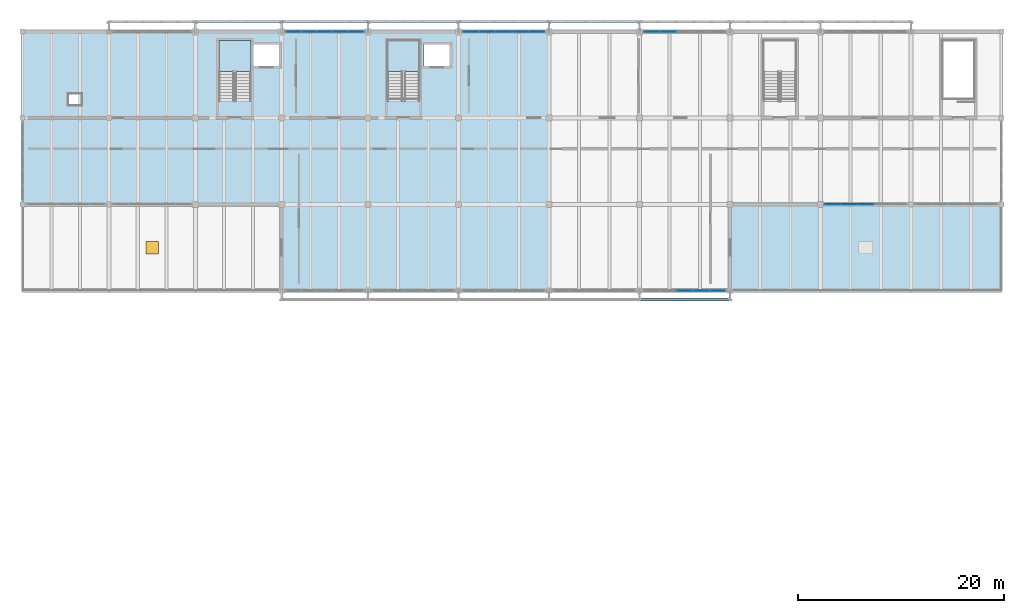
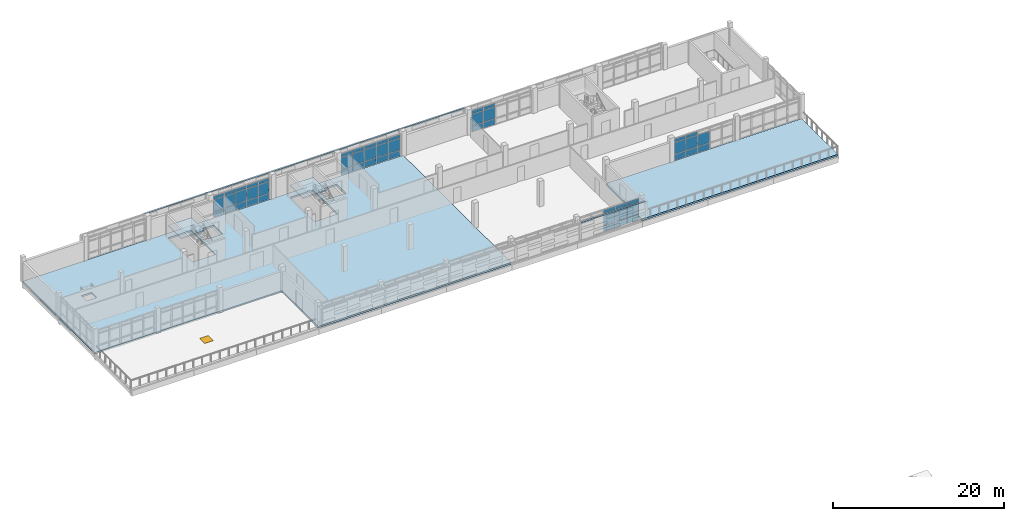
# One storey, part 39 of 50: 59 plates, 4 slabs, 1 window, 1 opening, 7 elements without a shape of their own.
"""IFC4 building model written with IfcOpenShell, lengths in metres."""

import ifcopenshell
import ifcopenshell.guid

model = None  # the IFC model being written
_history = None  # IfcOwnerHistory: only IFC2X3 demands one
_inside = {}  # id of a spatial element -> (the spatial element, [elements in it])
_under = {}  # id of a project, library or spatial element -> (it, [spatial elements below it])
_declared = {}  # id of a project -> (the project, [libraries it declares])
_typed = {}  # id of a type object -> (the type object, [elements of that type])
_made_of = {}  # id of a material, layer set ... -> (it, [elements and type objects made of it])


def new_model(schema):
    """Start an empty IFC model of exactly this schema.

    Asked for "IFC4X3", IfcOpenShell would pick the latest addendum, in which some entities
    have other attributes; the version numbers below select the first issue.
    IFC2X3 requires an IfcOwnerHistory on every rooted entity: one is made here for all.
    """
    global model, _history
    if schema == "IFC4X3":
        model = ifcopenshell.file(schema_version=(4, 3, 0, 0))
    else:
        model = ifcopenshell.file(schema=schema)
    _inside.clear()
    _under.clear()
    _declared.clear()
    _typed.clear()
    _made_of.clear()
    _history = None
    if model.schema == "IFC2X3":
        org = make("IfcOrganization", Name="unknown")
        user = make(
            "IfcPersonAndOrganization",
            ThePerson=make("IfcPerson", FamilyName="unknown"),
            TheOrganization=org,
        )
        app = make(
            "IfcApplication",
            ApplicationDeveloper=org,
            Version="unknown",
            ApplicationFullName="unknown",
            ApplicationIdentifier="unknown",
        )
        _history = make(
            "IfcOwnerHistory",
            OwningUser=user,
            OwningApplication=app,
            ChangeAction="ADDED",
            CreationDate=0,
        )
    return model


def make(cls, **values):
    """One entity of the class cls with the attributes given. An attribute that is None is left unset."""
    return model.create_entity(
        cls, **{name: value for name, value in values.items() if value is not None}
    )


def rooted(cls, **values):
    """An entity with a GlobalId (a new one), such as an element, a storey or a relation."""
    return make(cls, GlobalId=ifcopenshell.guid.new(), OwnerHistory=_history, **values)


def si_unit(unit_type, name, prefix=None):
    """IfcSIUnit, for example si_unit("LENGTHUNIT", "METRE", prefix="MILLI")."""
    return make("IfcSIUnit", UnitType=unit_type, Prefix=prefix, Name=name)


def assignment(units):
    """IfcUnitAssignment: the units of a project."""
    return None if units is None else make("IfcUnitAssignment", Units=units)


def point(xyz):
    """IfcCartesianPoint."""
    return None if xyz is None else make("IfcCartesianPoint", Coordinates=xyz)


def direction(xyz):
    """IfcDirection."""
    return None if xyz is None else make("IfcDirection", DirectionRatios=xyz)


def frame(location, z_axis=None, x_axis=None):
    """IfcAxis2Placement3D, a coordinate frame: its origin and axes. An axis left out is left unset."""
    return make(
        "IfcAxis2Placement3D",
        Location=point(location),
        Axis=direction(z_axis),
        RefDirection=direction(x_axis),
    )


def frame_2d(location, x_axis=None):
    """IfcAxis2Placement2D, a coordinate frame in the plane: its origin and x axis."""
    return make(
        "IfcAxis2Placement2D", Location=point(location), RefDirection=direction(x_axis)
    )


def origin():
    """The frame at (0, 0, 0) with its axes left unset."""
    return frame((0.0, 0.0, 0.0))


def origin_2d():
    """The frame at (0, 0) in the plane with its x axis left unset."""
    return frame_2d((0.0, 0.0))


def place(relative_to, where):
    """IfcLocalPlacement: puts the frame where relative to a parent placement (None: the world)."""
    return make(
        "IfcLocalPlacement", PlacementRelTo=relative_to, RelativePlacement=where
    )


def context(
    kind, dimensions, precision=None, world=None, true_north=None, identifier=None
):
    """IfcGeometricRepresentationContext, for example the 3D "Model" context."""
    return make(
        "IfcGeometricRepresentationContext",
        ContextIdentifier=identifier,
        ContextType=kind,
        CoordinateSpaceDimension=dimensions,
        Precision=precision,
        WorldCoordinateSystem=world,
        TrueNorth=true_north,
    )


def subcontext(parent, identifier, kind, view, scale=None):
    """IfcGeometricRepresentationSubContext, for example "Body" below "Model"."""
    return make(
        "IfcGeometricRepresentationSubContext",
        ContextIdentifier=identifier,
        ContextType=kind,
        ParentContext=parent,
        TargetScale=scale,
        TargetView=view,
    )


def project(units=None, contexts=None):
    """IfcProject with its units and contexts."""
    return rooted(
        "IfcProject",
        Name="project",
        RepresentationContexts=contexts,
        UnitsInContext=assignment(units),
    )


def spatial(cls, under=None, at=None, **own):
    """A site, building, storey or space (cls), placed at a placement, below another one or the project."""
    s = rooted(cls, ObjectPlacement=at, **own)
    if under is not None:
        _under.setdefault(under.id(), (under, []))[1].append(s)
    return s


def polyline(points):
    """IfcPolyline through the points."""
    return make("IfcPolyline", Points=[point(p) for p in points])


def profile(cls, at=None, kind="AREA", **sizes):
    """A parametric profile (cls). Its sizes go by their IFC names, for example OverallWidth=200.0."""
    return make(cls, ProfileType=kind, Position=at, **sizes)


def rectangle(**sizes):
    """IfcRectangleProfileDef."""
    return profile("IfcRectangleProfileDef", **sizes)


def outline(outer, holes=None, kind="AREA"):
    """IfcArbitraryClosedProfileDef: a profile drawn as a closed curve; with holes, ...WithVoids."""
    if holes is None:
        return make("IfcArbitraryClosedProfileDef", ProfileType=kind, OuterCurve=outer)
    return make(
        "IfcArbitraryProfileDefWithVoids",
        ProfileType=kind,
        OuterCurve=outer,
        InnerCurves=holes,
    )


def extrude(swept, where, along, depth):
    """IfcExtrudedAreaSolid: the profile swept, set in the frame where, extruded along a direction by depth."""
    return make(
        "IfcExtrudedAreaSolid",
        SweptArea=swept,
        Position=where,
        ExtrudedDirection=direction(along),
        Depth=depth,
    )


def shape(context_of_items, identifier, shape_type, items):
    """IfcShapeRepresentation: the items that make up one representation, for example the "Body"."""
    return make(
        "IfcShapeRepresentation",
        ContextOfItems=context_of_items,
        RepresentationIdentifier=identifier,
        RepresentationType=shape_type,
        Items=items,
    )


def material(Name=None, Category=None):
    """IfcMaterial."""
    return make("IfcMaterial", Name=Name, Category=Category)


def layer(
    of_material, thickness, ventilated=None, Name=None, Category=None, Priority=None
):
    """IfcMaterialLayer: one layer of a wall or slab, of a material (None: an air gap)."""
    return make(
        "IfcMaterialLayer",
        Material=of_material,
        LayerThickness=thickness,
        IsVentilated=ventilated,
        Name=Name,
        Category=Category,
        Priority=Priority,
    )


def layer_set(layers, Name=None):
    """IfcMaterialLayerSet."""
    return make("IfcMaterialLayerSet", MaterialLayers=layers, LayerSetName=Name)


def made_of(thing, what):
    """Note that an element or type object is made of a material, layer set ...; save() writes the relation."""
    if what is not None:
        _made_of.setdefault(what.id(), (what, []))[1].append(thing)
    return thing


def type_object(cls, material=None, **own):
    """A type object (cls), such as IfcWallType, which elements share."""
    return made_of(rooted(cls, **own), material)


def element(
    cls,
    number,
    at=None,
    inside=None,
    cuts=None,
    type_object=None,
    material=None,
    context=None,
    identifier="Body",
    shape_type=None,
    held_by="IfcProductDefinitionShape",
    body=None,
    shapes=None,
    **own,
):
    """One element of the class cls, such as IfcWall. Its Tag is "e" and its number.

    at: its placement. inside: the storey or other place that contains it. cuts: it is an
    opening in that element (IfcRelVoidsElement). A single representation is given by context,
    identifier, shape_type and body (its items); several are given by shapes. held_by: the class
    of the entity that holds the representations. save() writes the other relations.
    """
    e = rooted(cls, Tag="e%d" % number, ObjectPlacement=at, **own)
    if body is not None:
        shapes = [shape(context, identifier, shape_type, body)]
    if shapes is not None:
        e.Representation = make(held_by, Representations=shapes)
    if inside is not None:
        _inside.setdefault(inside.id(), (inside, []))[1].append(e)
    if cuts is not None:
        rooted(
            "IfcRelVoidsElement", RelatingBuildingElement=cuts, RelatedOpeningElement=e
        )
    if type_object is not None:
        _typed.setdefault(type_object.id(), (type_object, []))[1].append(e)
    return made_of(e, material)


def fill(opening, filler):
    """IfcRelFillsElement: the door or window that sits in an opening."""
    return rooted(
        "IfcRelFillsElement",
        RelatingOpeningElement=opening,
        RelatedBuildingElement=filler,
    )


def aggregate(whole, parts):
    """IfcRelAggregates: a whole, such as a stair, and the parts it consists of."""
    return rooted("IfcRelAggregates", RelatingObject=whole, RelatedObjects=parts)


def save(model, path):
    """Write the relations noted so far, then the file.

    IfcRelAggregates (storeys below a building ...), IfcRelContainedInSpatialStructure (elements
    in a storey), IfcRelDefinesByType, IfcRelAssociatesMaterial and IfcRelDeclares: one each for
    every whole, place, type object, material and project.
    """
    for whole, parts in _under.values():
        aggregate(whole, parts)
    for where, things in _inside.values():
        rooted(
            "IfcRelContainedInSpatialStructure",
            RelatedElements=things,
            RelatingStructure=where,
        )
    for kind, things in _typed.values():
        rooted("IfcRelDefinesByType", RelatedObjects=things, RelatingType=kind)
    for what, things in _made_of.values():
        rooted("IfcRelAssociatesMaterial", RelatedObjects=things, RelatingMaterial=what)
    for by, libraries in _declared.values():
        rooted("IfcRelDeclares", RelatingContext=by, RelatedDefinitions=libraries)
    model.write(path)


model = new_model("IFC4")

# Units and contexts
model_context = context("Model", 3, precision=1e-05, world=origin(), true_north=direction((0.0, 1.0)))
body_context = subcontext(model_context, "Body", "Model", "MODEL_VIEW")
ifc_project = project(units=[si_unit("LENGTHUNIT", "METRE"), si_unit("AREAUNIT", "SQUARE_METRE"), si_unit("VOLUMEUNIT", "CUBIC_METRE"), si_unit("PLANEANGLEUNIT", "RADIAN"), si_unit("MASSUNIT", "GRAM", prefix="KILO")], contexts=[model_context])

# Site, building, storey
site_placement = place(None, origin())
site = spatial("IfcSite", under=ifc_project, at=site_placement, CompositionType="ELEMENT")
building_placement = place(site_placement, origin())
building = spatial("IfcBuilding", under=site, at=building_placement, Name="Cinderway Yard Community Centre", CompositionType="ELEMENT")
storey_placement = place(building_placement, frame((0.0, 0.0, 12.89990234375)))
storey = spatial("IfcBuildingStorey", under=building, at=storey_placement, Name="L03", CompositionType="ELEMENT", Elevation=12.89990234375)

# Curtain wall, plates
ifc_material_1 = material(Name="Aluminium 6063-T6", Category="aluminium")
curtain_wall_type_1 = type_object("IfcCurtainWallType", Name="ENV-CW-TYPE-32", PredefinedType="USERDEFINED", material=ifc_material_1)
curtain_wall_1_placement = place(storey_placement, origin())
curtain_wall_1 = element("IfcCurtainWall", 1, at=curtain_wall_1_placement, inside=storey, type_object=curtain_wall_type_1, Name="V4 Street Curtain Wall ENV-CW-L03-HS-0163", ObjectType="GLAZED CURTAIN WALL", PredefinedType="USERDEFINED")
ifc_material_2 = material(Name="Laminated Low-E Glass", Category="glass")
ifc_layer_1 = layer(ifc_material_2, 0.031982421875, Name="Laminated Low-E Glass")
ifc_layer_set_1 = layer_set([ifc_layer_1], Name="Laminated Low-E Glass")
plate_type_1 = type_object("IfcPlateType", Name="ENV-CW-PAN-IGU32", PredefinedType="CURTAIN_PANEL", material=ifc_layer_set_1)
plate_1_placement = place(storey_placement, frame((67.958984375, 115.199951171875, 0.06005859375), z_axis=(0.0, 0.0, 1.0), x_axis=(1.0, 0.0, 0.0)))
plate_1 = element("IfcPlate", 2, at=plate_1_placement, type_object=plate_type_1, Name="CW-32 panel 1.1", PredefinedType="CURTAIN_PANEL", context=body_context, shape_type="SweptSolid", body=[
    extrude(rectangle(XDim=1.43798828125, YDim=0.028076171875, at=origin_2d()), origin(), (0.0, 0.0, 1.0), 0.81005859375),
])
plate_2_placement = place(storey_placement, frame((67.958984375, 115.199951171875, 0.93017578125), z_axis=(0.0, 0.0, 1.0), x_axis=(1.0, 0.0, 0.0)))
plate_2 = element("IfcPlate", 3, at=plate_2_placement, type_object=plate_type_1, Name="CW-32 panel 1.2", PredefinedType="CURTAIN_PANEL", context=body_context, shape_type="SweptSolid", body=[
    extrude(rectangle(XDim=1.43798828125, YDim=0.028076171875, at=origin_2d()), origin(), (0.0, 0.0, 1.0), 1.639892578125),
])
plate_3_placement = place(storey_placement, frame((67.958984375, 115.199951171875, 2.630126953125), z_axis=(0.0, 0.0, 1.0), x_axis=(1.0, 0.0, 0.0)))
plate_3 = element("IfcPlate", 4, at=plate_3_placement, type_object=plate_type_1, Name="CW-32 panel 1.3", PredefinedType="CURTAIN_PANEL", context=body_context, shape_type="SweptSolid", body=[
    extrude(rectangle(XDim=1.43798828125, YDim=0.028076171875, at=origin_2d()), origin(), (0.0, 0.0, 1.0), 0.4599609375),
])
plate_4_placement = place(storey_placement, frame((69.471923828125, 115.199951171875, 0.06005859375), z_axis=(0.0, 0.0, 1.0), x_axis=(1.0, 0.0, 0.0)))
plate_4 = element("IfcPlate", 5, at=plate_4_placement, type_object=plate_type_1, Name="CW-32 panel 2.1", PredefinedType="CURTAIN_PANEL", context=body_context, shape_type="SweptSolid", body=[
    extrude(rectangle(XDim=1.468017578125, YDim=0.028076171875, at=origin_2d()), origin(), (0.0, 0.0, 1.0), 0.81005859375),
])
plate_5_placement = place(storey_placement, frame((69.471923828125, 115.199951171875, 0.93017578125), z_axis=(0.0, 0.0, 1.0), x_axis=(1.0, 0.0, 0.0)))
plate_5 = element("IfcPlate", 6, at=plate_5_placement, type_object=plate_type_1, Name="CW-32 panel 2.2", PredefinedType="CURTAIN_PANEL", context=body_context, shape_type="SweptSolid", body=[
    extrude(rectangle(XDim=1.468017578125, YDim=0.028076171875, at=origin_2d()), origin(), (0.0, 0.0, 1.0), 1.639892578125),
])
plate_6_placement = place(storey_placement, frame((69.471923828125, 115.199951171875, 2.630126953125), z_axis=(0.0, 0.0, 1.0), x_axis=(1.0, 0.0, 0.0)))
plate_6 = element("IfcPlate", 7, at=plate_6_placement, type_object=plate_type_1, Name="CW-32 panel 2.3", PredefinedType="CURTAIN_PANEL", context=body_context, shape_type="SweptSolid", body=[
    extrude(rectangle(XDim=1.468017578125, YDim=0.028076171875, at=origin_2d()), origin(), (0.0, 0.0, 1.0), 0.4599609375),
])
plate_7_placement = place(storey_placement, frame((71.0, 115.199951171875, 0.06005859375), z_axis=(0.0, 0.0, 1.0), x_axis=(1.0, 0.0, 0.0)))
plate_7 = element("IfcPlate", 8, at=plate_7_placement, type_object=plate_type_1, Name="CW-32 panel 3.1", PredefinedType="CURTAIN_PANEL", context=body_context, shape_type="SweptSolid", body=[
    extrude(rectangle(XDim=1.468017578125, YDim=0.028076171875, at=origin_2d()), origin(), (0.0, 0.0, 1.0), 0.81005859375),
])
plate_8_placement = place(storey_placement, frame((71.0, 115.199951171875, 0.93017578125), z_axis=(0.0, 0.0, 1.0), x_axis=(1.0, 0.0, 0.0)))
plate_8 = element("IfcPlate", 9, at=plate_8_placement, type_object=plate_type_1, Name="CW-32 panel 3.2", PredefinedType="CURTAIN_PANEL", context=body_context, shape_type="SweptSolid", body=[
    extrude(rectangle(XDim=1.468017578125, YDim=0.028076171875, at=origin_2d()), origin(), (0.0, 0.0, 1.0), 1.639892578125),
])
plate_9_placement = place(storey_placement, frame((71.0, 115.199951171875, 2.630126953125), z_axis=(0.0, 0.0, 1.0), x_axis=(1.0, 0.0, 0.0)))
plate_9 = element("IfcPlate", 10, at=plate_9_placement, type_object=plate_type_1, Name="CW-32 panel 3.3", PredefinedType="CURTAIN_PANEL", context=body_context, shape_type="SweptSolid", body=[
    extrude(rectangle(XDim=1.468017578125, YDim=0.028076171875, at=origin_2d()), origin(), (0.0, 0.0, 1.0), 0.4599609375),
])
plate_10_placement = place(storey_placement, frame((72.528076171875, 115.199951171875, 0.06005859375), z_axis=(0.0, 0.0, 1.0), x_axis=(1.0, 0.0, 0.0)))
plate_10 = element("IfcPlate", 11, at=plate_10_placement, type_object=plate_type_1, Name="CW-32 panel 4.1", PredefinedType="CURTAIN_PANEL", context=body_context, shape_type="SweptSolid", body=[
    extrude(rectangle(XDim=1.468017578125, YDim=0.028076171875, at=origin_2d()), origin(), (0.0, 0.0, 1.0), 0.81005859375),
])
plate_11_placement = place(storey_placement, frame((72.528076171875, 115.199951171875, 0.93017578125), z_axis=(0.0, 0.0, 1.0), x_axis=(1.0, 0.0, 0.0)))
plate_11 = element("IfcPlate", 12, at=plate_11_placement, type_object=plate_type_1, Name="CW-32 panel 4.2", PredefinedType="CURTAIN_PANEL", context=body_context, shape_type="SweptSolid", body=[
    extrude(rectangle(XDim=1.468017578125, YDim=0.028076171875, at=origin_2d()), origin(), (0.0, 0.0, 1.0), 1.639892578125),
])
plate_12_placement = place(storey_placement, frame((72.528076171875, 115.199951171875, 2.630126953125), z_axis=(0.0, 0.0, 1.0), x_axis=(1.0, 0.0, 0.0)))
plate_12 = element("IfcPlate", 13, at=plate_12_placement, type_object=plate_type_1, Name="CW-32 panel 4.3", PredefinedType="CURTAIN_PANEL", context=body_context, shape_type="SweptSolid", body=[
    extrude(rectangle(XDim=1.468017578125, YDim=0.028076171875, at=origin_2d()), origin(), (0.0, 0.0, 1.0), 0.4599609375),
])
plate_13_placement = place(storey_placement, frame((74.041015625, 115.199951171875, 0.06005859375), z_axis=(0.0, 0.0, 1.0), x_axis=(1.0, 0.0, 0.0)))
plate_13 = element("IfcPlate", 14, at=plate_13_placement, type_object=plate_type_1, Name="CW-32 panel 5.1", PredefinedType="CURTAIN_PANEL", context=body_context, shape_type="SweptSolid", body=[
    extrude(rectangle(XDim=1.43798828125, YDim=0.028076171875, at=origin_2d()), origin(), (0.0, 0.0, 1.0), 0.81005859375),
])
plate_14_placement = place(storey_placement, frame((74.041015625, 115.199951171875, 0.93017578125), z_axis=(0.0, 0.0, 1.0), x_axis=(1.0, 0.0, 0.0)))
plate_14 = element("IfcPlate", 15, at=plate_14_placement, type_object=plate_type_1, Name="CW-32 panel 5.2", PredefinedType="CURTAIN_PANEL", context=body_context, shape_type="SweptSolid", body=[
    extrude(rectangle(XDim=1.43798828125, YDim=0.028076171875, at=origin_2d()), origin(), (0.0, 0.0, 1.0), 1.639892578125),
])
plate_15_placement = place(storey_placement, frame((74.041015625, 115.199951171875, 2.630126953125), z_axis=(0.0, 0.0, 1.0), x_axis=(1.0, 0.0, 0.0)))
plate_15 = element("IfcPlate", 16, at=plate_15_placement, type_object=plate_type_1, Name="CW-32 panel 5.3", PredefinedType="CURTAIN_PANEL", context=body_context, shape_type="SweptSolid", body=[
    extrude(rectangle(XDim=1.43798828125, YDim=0.028076171875, at=origin_2d()), origin(), (0.0, 0.0, 1.0), 0.4599609375),
])
aggregate(curtain_wall_1, [plate_1, plate_2, plate_3, plate_4, plate_5, plate_6, plate_7, plate_8, plate_9, plate_10, plate_11, plate_12, plate_13, plate_14, plate_15])

curtain_wall_type_2 = type_object("IfcCurtainWallType", Name="ENV-CW-TYPE-33", PredefinedType="USERDEFINED", material=ifc_material_1)
curtain_wall_2_placement = place(storey_placement, origin())
curtain_wall_2 = element("IfcCurtainWall", 17, at=curtain_wall_2_placement, inside=storey, type_object=curtain_wall_type_2, Name="V4 Street Curtain Wall ENV-CW-L03-HS-0166", ObjectType="GLAZED CURTAIN WALL", PredefinedType="USERDEFINED")
plate_16_placement = place(storey_placement, frame((85.198974609375, 115.199951171875, 0.06005859375), z_axis=(0.0, 0.0, 1.0), x_axis=(1.0, 0.0, 0.0)))
plate_16 = element("IfcPlate", 18, at=plate_16_placement, type_object=plate_type_1, Name="CW-33 panel 1.1", PredefinedType="CURTAIN_PANEL", context=body_context, shape_type="SweptSolid", body=[
    extrude(rectangle(XDim=1.51806640625, YDim=0.028076171875, at=origin_2d()), origin(), (0.0, 0.0, 1.0), 0.81005859375),
])
plate_17_placement = place(storey_placement, frame((85.198974609375, 115.199951171875, 0.93017578125), z_axis=(0.0, 0.0, 1.0), x_axis=(1.0, 0.0, 0.0)))
plate_17 = element("IfcPlate", 19, at=plate_17_placement, type_object=plate_type_1, Name="CW-33 panel 1.2", PredefinedType="CURTAIN_PANEL", context=body_context, shape_type="SweptSolid", body=[
    extrude(rectangle(XDim=1.51806640625, YDim=0.028076171875, at=origin_2d()), origin(), (0.0, 0.0, 1.0), 1.639892578125),
])
plate_18_placement = place(storey_placement, frame((85.198974609375, 115.199951171875, 2.630126953125), z_axis=(0.0, 0.0, 1.0), x_axis=(1.0, 0.0, 0.0)))
plate_18 = element("IfcPlate", 20, at=plate_18_placement, type_object=plate_type_1, Name="CW-33 panel 1.3", PredefinedType="CURTAIN_PANEL", context=body_context, shape_type="SweptSolid", body=[
    extrude(rectangle(XDim=1.51806640625, YDim=0.028076171875, at=origin_2d()), origin(), (0.0, 0.0, 1.0), 0.4599609375),
])
plate_19_placement = place(storey_placement, frame((86.7919921875, 115.199951171875, 0.06005859375), z_axis=(0.0, 0.0, 1.0), x_axis=(1.0, 0.0, 0.0)))
plate_19 = element("IfcPlate", 21, at=plate_19_placement, type_object=plate_type_1, Name="CW-33 panel 2.1", PredefinedType="CURTAIN_PANEL", context=body_context, shape_type="SweptSolid", body=[
    extrude(rectangle(XDim=1.548095703125, YDim=0.028076171875, at=origin_2d()), origin(), (0.0, 0.0, 1.0), 0.81005859375),
])
plate_20_placement = place(storey_placement, frame((86.7919921875, 115.199951171875, 0.93017578125), z_axis=(0.0, 0.0, 1.0), x_axis=(1.0, 0.0, 0.0)))
plate_20 = element("IfcPlate", 22, at=plate_20_placement, type_object=plate_type_1, Name="CW-33 panel 2.2", PredefinedType="CURTAIN_PANEL", context=body_context, shape_type="SweptSolid", body=[
    extrude(rectangle(XDim=1.548095703125, YDim=0.028076171875, at=origin_2d()), origin(), (0.0, 0.0, 1.0), 1.639892578125),
])
plate_21_placement = place(storey_placement, frame((86.7919921875, 115.199951171875, 2.630126953125), z_axis=(0.0, 0.0, 1.0), x_axis=(1.0, 0.0, 0.0)))
plate_21 = element("IfcPlate", 23, at=plate_21_placement, type_object=plate_type_1, Name="CW-33 panel 2.3", PredefinedType="CURTAIN_PANEL", context=body_context, shape_type="SweptSolid", body=[
    extrude(rectangle(XDim=1.548095703125, YDim=0.028076171875, at=origin_2d()), origin(), (0.0, 0.0, 1.0), 0.4599609375),
])
plate_22_placement = place(storey_placement, frame((88.39990234375, 115.199951171875, 0.06005859375), z_axis=(0.0, 0.0, 1.0), x_axis=(1.0, 0.0, 0.0)))
plate_22 = element("IfcPlate", 24, at=plate_22_placement, type_object=plate_type_1, Name="CW-33 panel 3.1", PredefinedType="CURTAIN_PANEL", context=body_context, shape_type="SweptSolid", body=[
    extrude(rectangle(XDim=1.548095703125, YDim=0.028076171875, at=origin_2d()), origin(), (0.0, 0.0, 1.0), 0.81005859375),
])
plate_23_placement = place(storey_placement, frame((88.39990234375, 115.199951171875, 0.93017578125), z_axis=(0.0, 0.0, 1.0), x_axis=(1.0, 0.0, 0.0)))
plate_23 = element("IfcPlate", 25, at=plate_23_placement, type_object=plate_type_1, Name="CW-33 panel 3.2", PredefinedType="CURTAIN_PANEL", context=body_context, shape_type="SweptSolid", body=[
    extrude(rectangle(XDim=1.548095703125, YDim=0.028076171875, at=origin_2d()), origin(), (0.0, 0.0, 1.0), 1.639892578125),
])
plate_24_placement = place(storey_placement, frame((88.39990234375, 115.199951171875, 2.630126953125), z_axis=(0.0, 0.0, 1.0), x_axis=(1.0, 0.0, 0.0)))
plate_24 = element("IfcPlate", 26, at=plate_24_placement, type_object=plate_type_1, Name="CW-33 panel 3.3", PredefinedType="CURTAIN_PANEL", context=body_context, shape_type="SweptSolid", body=[
    extrude(rectangle(XDim=1.548095703125, YDim=0.028076171875, at=origin_2d()), origin(), (0.0, 0.0, 1.0), 0.4599609375),
])
plate_25_placement = place(storey_placement, frame((90.008056640625, 115.199951171875, 0.06005859375), z_axis=(0.0, 0.0, 1.0), x_axis=(1.0, 0.0, 0.0)))
plate_25 = element("IfcPlate", 27, at=plate_25_placement, type_object=plate_type_1, Name="CW-33 panel 4.1", PredefinedType="CURTAIN_PANEL", context=body_context, shape_type="SweptSolid", body=[
    extrude(rectangle(XDim=1.548095703125, YDim=0.028076171875, at=origin_2d()), origin(), (0.0, 0.0, 1.0), 0.81005859375),
])
plate_26_placement = place(storey_placement, frame((90.008056640625, 115.199951171875, 0.93017578125), z_axis=(0.0, 0.0, 1.0), x_axis=(1.0, 0.0, 0.0)))
plate_26 = element("IfcPlate", 28, at=plate_26_placement, type_object=plate_type_1, Name="CW-33 panel 4.2", PredefinedType="CURTAIN_PANEL", context=body_context, shape_type="SweptSolid", body=[
    extrude(rectangle(XDim=1.548095703125, YDim=0.028076171875, at=origin_2d()), origin(), (0.0, 0.0, 1.0), 1.639892578125),
])
plate_27_placement = place(storey_placement, frame((90.008056640625, 115.199951171875, 2.630126953125), z_axis=(0.0, 0.0, 1.0), x_axis=(1.0, 0.0, 0.0)))
plate_27 = element("IfcPlate", 29, at=plate_27_placement, type_object=plate_type_1, Name="CW-33 panel 4.3", PredefinedType="CURTAIN_PANEL", context=body_context, shape_type="SweptSolid", body=[
    extrude(rectangle(XDim=1.548095703125, YDim=0.028076171875, at=origin_2d()), origin(), (0.0, 0.0, 1.0), 0.4599609375),
])
plate_28_placement = place(storey_placement, frame((91.60107421875, 115.199951171875, 0.06005859375), z_axis=(0.0, 0.0, 1.0), x_axis=(1.0, 0.0, 0.0)))
plate_28 = element("IfcPlate", 30, at=plate_28_placement, type_object=plate_type_1, Name="CW-33 panel 5.1", PredefinedType="CURTAIN_PANEL", context=body_context, shape_type="SweptSolid", body=[
    extrude(rectangle(XDim=1.51806640625, YDim=0.028076171875, at=origin_2d()), origin(), (0.0, 0.0, 1.0), 0.81005859375),
])
plate_29_placement = place(storey_placement, frame((91.60107421875, 115.199951171875, 0.93017578125), z_axis=(0.0, 0.0, 1.0), x_axis=(1.0, 0.0, 0.0)))
plate_29 = element("IfcPlate", 31, at=plate_29_placement, type_object=plate_type_1, Name="CW-33 panel 5.2", PredefinedType="CURTAIN_PANEL", context=body_context, shape_type="SweptSolid", body=[
    extrude(rectangle(XDim=1.51806640625, YDim=0.028076171875, at=origin_2d()), origin(), (0.0, 0.0, 1.0), 1.639892578125),
])
plate_30_placement = place(storey_placement, frame((91.60107421875, 115.199951171875, 2.630126953125), z_axis=(0.0, 0.0, 1.0), x_axis=(1.0, 0.0, 0.0)))
plate_30 = element("IfcPlate", 32, at=plate_30_placement, type_object=plate_type_1, Name="CW-33 panel 5.3", PredefinedType="CURTAIN_PANEL", context=body_context, shape_type="SweptSolid", body=[
    extrude(rectangle(XDim=1.51806640625, YDim=0.028076171875, at=origin_2d()), origin(), (0.0, 0.0, 1.0), 0.4599609375),
])
aggregate(curtain_wall_2, [plate_16, plate_17, plate_18, plate_19, plate_20, plate_21, plate_22, plate_23, plate_24, plate_25, plate_26, plate_27, plate_28, plate_29, plate_30])

curtain_wall_3_placement = place(storey_placement, origin())
curtain_wall_3 = element("IfcCurtainWall", 33, at=curtain_wall_3_placement, inside=storey, type_object=curtain_wall_type_2, Name="V4 Street Curtain Wall ENV-CW-L03-HS-0169", ObjectType="GLAZED CURTAIN WALL", PredefinedType="USERDEFINED")
plate_31_placement = place(storey_placement, frame((102.799072265625, 115.199951171875, 0.06005859375), z_axis=(0.0, 0.0, 1.0), x_axis=(1.0, 0.0, 0.0)))
plate_31 = element("IfcPlate", 34, at=plate_31_placement, type_object=plate_type_1, Name="CW-33 panel 1.1", PredefinedType="CURTAIN_PANEL", context=body_context, shape_type="SweptSolid", body=[
    extrude(rectangle(XDim=1.51806640625, YDim=0.028076171875, at=origin_2d()), origin(), (0.0, 0.0, 1.0), 0.81005859375),
])
plate_32_placement = place(storey_placement, frame((102.799072265625, 115.199951171875, 0.93017578125), z_axis=(0.0, 0.0, 1.0), x_axis=(1.0, 0.0, 0.0)))
plate_32 = element("IfcPlate", 35, at=plate_32_placement, type_object=plate_type_1, Name="CW-33 panel 1.2", PredefinedType="CURTAIN_PANEL", context=body_context, shape_type="SweptSolid", body=[
    extrude(rectangle(XDim=1.51806640625, YDim=0.028076171875, at=origin_2d()), origin(), (0.0, 0.0, 1.0), 1.639892578125),
])
plate_33_placement = place(storey_placement, frame((102.799072265625, 115.199951171875, 2.630126953125), z_axis=(0.0, 0.0, 1.0), x_axis=(1.0, 0.0, 0.0)))
plate_33 = element("IfcPlate", 36, at=plate_33_placement, type_object=plate_type_1, Name="CW-33 panel 1.3", PredefinedType="CURTAIN_PANEL", context=body_context, shape_type="SweptSolid", body=[
    extrude(rectangle(XDim=1.51806640625, YDim=0.028076171875, at=origin_2d()), origin(), (0.0, 0.0, 1.0), 0.4599609375),
])
plate_34_placement = place(storey_placement, frame((104.39208984375, 115.199951171875, 0.06005859375), z_axis=(0.0, 0.0, 1.0), x_axis=(1.0, 0.0, 0.0)))
plate_34 = element("IfcPlate", 37, at=plate_34_placement, type_object=plate_type_1, Name="CW-33 panel 2.1", PredefinedType="CURTAIN_PANEL", context=body_context, shape_type="SweptSolid", body=[
    extrude(rectangle(XDim=1.548095703125, YDim=0.028076171875, at=origin_2d()), origin(), (0.0, 0.0, 1.0), 0.81005859375),
])
plate_35_placement = place(storey_placement, frame((104.39208984375, 115.199951171875, 0.93017578125), z_axis=(0.0, 0.0, 1.0), x_axis=(1.0, 0.0, 0.0)))
plate_35 = element("IfcPlate", 38, at=plate_35_placement, type_object=plate_type_1, Name="CW-33 panel 2.2", PredefinedType="CURTAIN_PANEL", context=body_context, shape_type="SweptSolid", body=[
    extrude(rectangle(XDim=1.548095703125, YDim=0.028076171875, at=origin_2d()), origin(), (0.0, 0.0, 1.0), 1.639892578125),
])
plate_36_placement = place(storey_placement, frame((104.39208984375, 115.199951171875, 2.630126953125), z_axis=(0.0, 0.0, 1.0), x_axis=(1.0, 0.0, 0.0)))
plate_36 = element("IfcPlate", 39, at=plate_36_placement, type_object=plate_type_1, Name="CW-33 panel 2.3", PredefinedType="CURTAIN_PANEL", context=body_context, shape_type="SweptSolid", body=[
    extrude(rectangle(XDim=1.548095703125, YDim=0.028076171875, at=origin_2d()), origin(), (0.0, 0.0, 1.0), 0.4599609375),
])
aggregate(curtain_wall_3, [plate_31, plate_32, plate_33, plate_34, plate_35, plate_36])

curtain_wall_4_placement = place(storey_placement, origin())
curtain_wall_4 = element("IfcCurtainWall", 40, at=curtain_wall_4_placement, inside=storey, type_object=curtain_wall_type_2, Name="V4 Courtyard Curtain Wall ENV-CW-L03-HS-0170", ObjectType="GLAZED CURTAIN WALL", PredefinedType="USERDEFINED")
plate_37_placement = place(storey_placement, frame((106.0, 90.0, 0.06005859375), z_axis=(0.0, 0.0, 1.0), x_axis=(1.0, 0.0, 0.0)))
plate_37 = element("IfcPlate", 41, at=plate_37_placement, type_object=plate_type_1, Name="CW-33 panel 3.1", PredefinedType="CURTAIN_PANEL", context=body_context, shape_type="SweptSolid", body=[
    extrude(rectangle(XDim=1.548095703125, YDim=0.028076171875, at=origin_2d()), origin(), (0.0, 0.0, 1.0), 0.81005859375),
])
plate_38_placement = place(storey_placement, frame((106.0, 90.0, 0.93017578125), z_axis=(0.0, 0.0, 1.0), x_axis=(1.0, 0.0, 0.0)))
plate_38 = element("IfcPlate", 42, at=plate_38_placement, type_object=plate_type_1, Name="CW-33 panel 3.2", PredefinedType="CURTAIN_PANEL", context=body_context, shape_type="SweptSolid", body=[
    extrude(rectangle(XDim=1.548095703125, YDim=0.028076171875, at=origin_2d()), origin(), (0.0, 0.0, 1.0), 1.639892578125),
])
plate_39_placement = place(storey_placement, frame((106.0, 90.0, 2.630126953125), z_axis=(0.0, 0.0, 1.0), x_axis=(1.0, 0.0, 0.0)))
plate_39 = element("IfcPlate", 43, at=plate_39_placement, type_object=plate_type_1, Name="CW-33 panel 3.3", PredefinedType="CURTAIN_PANEL", context=body_context, shape_type="SweptSolid", body=[
    extrude(rectangle(XDim=1.548095703125, YDim=0.028076171875, at=origin_2d()), origin(), (0.0, 0.0, 1.0), 0.4599609375),
])
plate_40_placement = place(storey_placement, frame((107.60791015625, 90.0, 0.06005859375), z_axis=(0.0, 0.0, 1.0), x_axis=(1.0, 0.0, 0.0)))
plate_40 = element("IfcPlate", 44, at=plate_40_placement, type_object=plate_type_1, Name="CW-33 panel 4.1", PredefinedType="CURTAIN_PANEL", context=body_context, shape_type="SweptSolid", body=[
    extrude(rectangle(XDim=1.548095703125, YDim=0.028076171875, at=origin_2d()), origin(), (0.0, 0.0, 1.0), 0.81005859375),
])
plate_41_placement = place(storey_placement, frame((107.60791015625, 90.0, 0.93017578125), z_axis=(0.0, 0.0, 1.0), x_axis=(1.0, 0.0, 0.0)))
plate_41 = element("IfcPlate", 45, at=plate_41_placement, type_object=plate_type_1, Name="CW-33 panel 4.2", PredefinedType="CURTAIN_PANEL", context=body_context, shape_type="SweptSolid", body=[
    extrude(rectangle(XDim=1.548095703125, YDim=0.028076171875, at=origin_2d()), origin(), (0.0, 0.0, 1.0), 1.639892578125),
])
plate_42_placement = place(storey_placement, frame((107.60791015625, 90.0, 2.630126953125), z_axis=(0.0, 0.0, 1.0), x_axis=(1.0, 0.0, 0.0)))
plate_42 = element("IfcPlate", 46, at=plate_42_placement, type_object=plate_type_1, Name="CW-33 panel 4.3", PredefinedType="CURTAIN_PANEL", context=body_context, shape_type="SweptSolid", body=[
    extrude(rectangle(XDim=1.548095703125, YDim=0.028076171875, at=origin_2d()), origin(), (0.0, 0.0, 1.0), 0.4599609375),
])
plate_43_placement = place(storey_placement, frame((109.200927734375, 90.0, 0.06005859375), z_axis=(0.0, 0.0, 1.0), x_axis=(1.0, 0.0, 0.0)))
plate_43 = element("IfcPlate", 47, at=plate_43_placement, type_object=plate_type_1, Name="CW-33 panel 5.1", PredefinedType="CURTAIN_PANEL", context=body_context, shape_type="SweptSolid", body=[
    extrude(rectangle(XDim=1.51806640625, YDim=0.028076171875, at=origin_2d()), origin(), (0.0, 0.0, 1.0), 0.81005859375),
])
plate_44_placement = place(storey_placement, frame((109.200927734375, 90.0, 0.93017578125), z_axis=(0.0, 0.0, 1.0), x_axis=(1.0, 0.0, 0.0)))
plate_44 = element("IfcPlate", 48, at=plate_44_placement, type_object=plate_type_1, Name="CW-33 panel 5.2", PredefinedType="CURTAIN_PANEL", context=body_context, shape_type="SweptSolid", body=[
    extrude(rectangle(XDim=1.51806640625, YDim=0.028076171875, at=origin_2d()), origin(), (0.0, 0.0, 1.0), 1.639892578125),
])
plate_45_placement = place(storey_placement, frame((109.200927734375, 90.0, 2.630126953125), z_axis=(0.0, 0.0, 1.0), x_axis=(1.0, 0.0, 0.0)))
plate_45 = element("IfcPlate", 49, at=plate_45_placement, type_object=plate_type_1, Name="CW-33 panel 5.3", PredefinedType="CURTAIN_PANEL", context=body_context, shape_type="SweptSolid", body=[
    extrude(rectangle(XDim=1.51806640625, YDim=0.028076171875, at=origin_2d()), origin(), (0.0, 0.0, 1.0), 0.4599609375),
])
aggregate(curtain_wall_4, [plate_37, plate_38, plate_39, plate_40, plate_41, plate_42, plate_43, plate_44, plate_45])

curtain_wall_5_placement = place(storey_placement, origin())
curtain_wall_5 = element("IfcCurtainWall", 50, at=curtain_wall_5_placement, inside=storey, type_object=curtain_wall_type_2, Name="V4 Courtyard Curtain Wall ENV-CW-L03-HS-0172", ObjectType="GLAZED CURTAIN WALL", PredefinedType="USERDEFINED")
plate_46_placement = place(storey_placement, frame((120.39892578125, 98.39990234375, 0.06005859375), z_axis=(0.0, 0.0, 1.0), x_axis=(1.0, 0.0, 0.0)))
plate_46 = element("IfcPlate", 51, at=plate_46_placement, type_object=plate_type_1, Name="CW-33 panel 1.1", PredefinedType="CURTAIN_PANEL", context=body_context, shape_type="SweptSolid", body=[
    extrude(rectangle(XDim=1.51806640625, YDim=0.028076171875, at=origin_2d()), origin(), (0.0, 0.0, 1.0), 0.81005859375),
])
plate_47_placement = place(storey_placement, frame((120.39892578125, 98.39990234375, 0.93017578125), z_axis=(0.0, 0.0, 1.0), x_axis=(1.0, 0.0, 0.0)))
plate_47 = element("IfcPlate", 52, at=plate_47_placement, type_object=plate_type_1, Name="CW-33 panel 1.2", PredefinedType="CURTAIN_PANEL", context=body_context, shape_type="SweptSolid", body=[
    extrude(rectangle(XDim=1.51806640625, YDim=0.028076171875, at=origin_2d()), origin(), (0.0, 0.0, 1.0), 1.639892578125),
])
plate_48_placement = place(storey_placement, frame((120.39892578125, 98.39990234375, 2.630126953125), z_axis=(0.0, 0.0, 1.0), x_axis=(1.0, 0.0, 0.0)))
plate_48 = element("IfcPlate", 53, at=plate_48_placement, type_object=plate_type_1, Name="CW-33 panel 1.3", PredefinedType="CURTAIN_PANEL", context=body_context, shape_type="SweptSolid", body=[
    extrude(rectangle(XDim=1.51806640625, YDim=0.028076171875, at=origin_2d()), origin(), (0.0, 0.0, 1.0), 0.4599609375),
])
plate_49_placement = place(storey_placement, frame((121.991943359375, 98.39990234375, 0.06005859375), z_axis=(0.0, 0.0, 1.0), x_axis=(1.0, 0.0, 0.0)))
plate_49 = element("IfcPlate", 54, at=plate_49_placement, type_object=plate_type_1, Name="CW-33 panel 2.1", PredefinedType="CURTAIN_PANEL", context=body_context, shape_type="SweptSolid", body=[
    extrude(rectangle(XDim=1.548095703125, YDim=0.028076171875, at=origin_2d()), origin(), (0.0, 0.0, 1.0), 0.81005859375),
])
plate_50_placement = place(storey_placement, frame((121.991943359375, 98.39990234375, 0.93017578125), z_axis=(0.0, 0.0, 1.0), x_axis=(1.0, 0.0, 0.0)))
plate_50 = element("IfcPlate", 55, at=plate_50_placement, type_object=plate_type_1, Name="CW-33 panel 2.2", PredefinedType="CURTAIN_PANEL", context=body_context, shape_type="SweptSolid", body=[
    extrude(rectangle(XDim=1.548095703125, YDim=0.028076171875, at=origin_2d()), origin(), (0.0, 0.0, 1.0), 1.639892578125),
])
plate_51_placement = place(storey_placement, frame((121.991943359375, 98.39990234375, 2.630126953125), z_axis=(0.0, 0.0, 1.0), x_axis=(1.0, 0.0, 0.0)))
plate_51 = element("IfcPlate", 56, at=plate_51_placement, type_object=plate_type_1, Name="CW-33 panel 2.3", PredefinedType="CURTAIN_PANEL", context=body_context, shape_type="SweptSolid", body=[
    extrude(rectangle(XDim=1.548095703125, YDim=0.028076171875, at=origin_2d()), origin(), (0.0, 0.0, 1.0), 0.4599609375),
])
plate_52_placement = place(storey_placement, frame((123.60009765625, 98.39990234375, 0.06005859375), z_axis=(0.0, 0.0, 1.0), x_axis=(1.0, 0.0, 0.0)))
plate_52 = element("IfcPlate", 57, at=plate_52_placement, type_object=plate_type_1, Name="CW-33 panel 3.1", PredefinedType="CURTAIN_PANEL", context=body_context, shape_type="SweptSolid", body=[
    extrude(rectangle(XDim=1.548095703125, YDim=0.028076171875, at=origin_2d()), origin(), (0.0, 0.0, 1.0), 0.81005859375),
])
plate_53_placement = place(storey_placement, frame((123.60009765625, 98.39990234375, 0.93017578125), z_axis=(0.0, 0.0, 1.0), x_axis=(1.0, 0.0, 0.0)))
plate_53 = element("IfcPlate", 58, at=plate_53_placement, type_object=plate_type_1, Name="CW-33 panel 3.2", PredefinedType="CURTAIN_PANEL", context=body_context, shape_type="SweptSolid", body=[
    extrude(rectangle(XDim=1.548095703125, YDim=0.028076171875, at=origin_2d()), origin(), (0.0, 0.0, 1.0), 1.639892578125),
])
aggregate(curtain_wall_5, [plate_46, plate_47, plate_48, plate_49, plate_50, plate_51, plate_52, plate_53])

# Plates
ifc_layer_2 = layer(ifc_material_1, 0.01611328125, Name="Aluminium 6063-T6")
ifc_layer_set_2 = layer_set([ifc_layer_2], Name="Aluminium 6063-T6")
plate_type_2 = type_object("IfcPlateType", Name="ENV-PLT-FASCIA16", PredefinedType="USERDEFINED", material=ifc_layer_set_2)
for number, where, z_axis, x_axis, name in (
    (59, (62.60009765625, 116.14990234375, 3.112060546875), (0.0, 0.0, 1.0), (1.0, 0.0, 0.0), "Screen coping fascia 0025"),
    (60, (71.0, 116.14990234375, 3.112060546875), (0.0, 0.0, 1.0), (1.0, 0.0, 0.0), "Screen coping fascia 0026"),
):
    element("IfcPlate", number, at=place(storey_placement, frame(where, z_axis=z_axis, x_axis=x_axis)), inside=storey, type_object=plate_type_2, Name=name, ObjectType="FASCIA PLATE", PredefinedType="USERDEFINED", context=body_context, shape_type="SweptSolid", body=[
        extrude(rectangle(XDim=8.300048828125, YDim=0.260009765625, at=origin_2d()), origin(), (0.0, 0.0, 1.0), 0.01611328125),
    ])
for number, where, z_axis, x_axis, name in (
    (61, (79.60009765625, 116.14990234375, 3.112060546875), (0.0, 0.0, 1.0), (1.0, 0.0, 0.0), "Screen coping fascia 0027"),
    (62, (88.39990234375, 116.14990234375, 3.112060546875), (0.0, 0.0, 1.0), (1.0, 0.0, 0.0), "Screen coping fascia 0028"),
    (63, (97.199951171875, 116.14990234375, 3.112060546875), (0.0, 0.0, 1.0), (1.0, 0.0, 0.0), "Screen coping fascia 0029"),
    (64, (106.0, 89.14990234375, 3.112060546875), (0.0, 0.0, 1.0), (-1.0, 0.0, 0.0), "Screen coping fascia 0067"),
):
    element("IfcPlate", number, at=place(storey_placement, frame(where, z_axis=z_axis, x_axis=x_axis)), inside=storey, type_object=plate_type_2, Name=name, ObjectType="FASCIA PLATE", PredefinedType="USERDEFINED", context=body_context, shape_type="SweptSolid", body=[
        extrude(rectangle(XDim=8.699951171875, YDim=0.260009765625, at=origin_2d()), origin(), (0.0, 0.0, 1.0), 0.01611328125),
    ])

# Stair, slab
ifc_material_3 = material(Name="Concrete C40/50", Category="concrete")
stair_type = type_object("IfcStairType", Name="INT-STR-360A", PredefinedType="HALF_TURN_STAIR", material=ifc_material_3)
stair_1_placement = place(storey_placement, origin())
stair_1 = element("IfcStair", 65, at=stair_1_placement, inside=storey, type_object=stair_type, Name="L03 Core C1 Exit Stair ST-01", PredefinedType="HALF_TURN_STAIR")
ifc_layer_3 = layer(ifc_material_3, 0.199951171875, Name="Concrete C40/50")
ifc_layer_set_3 = layer_set([ifc_layer_3], Name="Concrete C40/50")
slab_type_1 = type_object("IfcSlabType", Name="INT-SLB-LND200", PredefinedType="LANDING", material=ifc_layer_set_3)
slab_1_placement = place(storey_placement, frame((0.0, 0.0, 1.60009765625)))
slab_1 = element("IfcSlab", 66, at=slab_1_placement, type_object=slab_type_1, Name="ST-01 landing 1", PredefinedType="LANDING", context=body_context, shape_type="SweptSolid", body=[
    extrude(outline(polyline([(63.800048828125, 111.330078125), (63.800048828125, 114.35009765625), (60.679931640625, 114.35009765625), (60.679931640625, 111.330078125), (63.800048828125, 111.330078125)])), origin(), (0.0, 0.0, 1.0), 0.199951171875),
])
aggregate(stair_1, [slab_1])

stair_2_placement = place(storey_placement, origin())
stair_2 = element("IfcStair", 67, at=stair_2_placement, inside=storey, type_object=stair_type, Name="L03 Core C2A Exit Stair ST-02", PredefinedType="HALF_TURN_STAIR")
slab_2_placement = place(storey_placement, frame((0.0, 0.0, 1.60009765625)))
slab_2 = element("IfcSlab", 68, at=slab_2_placement, type_object=slab_type_1, Name="ST-02 landing 1", PredefinedType="LANDING", context=body_context, shape_type="SweptSolid", body=[
    extrude(outline(polyline([(80.199951171875, 111.330078125), (80.199951171875, 114.35009765625), (77.080078125, 114.35009765625), (77.080078125, 111.330078125), (80.199951171875, 111.330078125)])), origin(), (0.0, 0.0, 1.0), 0.199951171875),
])
aggregate(stair_2, [slab_2])

# Slab, opening, window
ifc_material_4 = material(Name="Concrete C35/45", Category="concrete")
ifc_layer_4 = layer(ifc_material_4, 0.239990234375, Name="Concrete C35/45")
ifc_layer_set_4 = layer_set([ifc_layer_4], Name="Concrete C35/45")
slab_type_2 = type_object("IfcSlabType", Name="STR-SLAB-FLR-240", PredefinedType="FLOOR", material=ifc_layer_set_4)
slab_3_placement = place(storey_placement, frame((0.0, 0.0, -0.239990234375)))
slab_3 = element("IfcSlab", 69, at=slab_3_placement, inside=storey, type_object=slab_type_2, Name="V4 Community Library West Slab L03 STR-SLAB-L03-036", PredefinedType="FLOOR", context=body_context, shape_type="SweptSolid", body=[
    extrude(outline(polyline([(41.60009765625, 98.39990234375), (66.800048828125, 98.39990234375), (66.800048828125, 90.0), (92.800048828125, 90.0), (92.800048828125, 115.199951171875), (41.60009765625, 115.199951171875), (41.60009765625, 98.39990234375)]), holes=[polyline([(63.800048828125, 108.669921875), (63.800048828125, 114.35009765625), (60.679931640625, 114.35009765625), (60.679931640625, 108.669921875), (63.800048828125, 108.669921875)]), polyline([(64.050048828125, 111.85009765625), (66.550048828125, 111.85009765625), (66.550048828125, 113.949951171875), (64.050048828125, 113.949951171875), (64.050048828125, 111.85009765625)]), polyline([(80.199951171875, 108.669921875), (80.199951171875, 114.35009765625), (77.080078125, 114.35009765625), (77.080078125, 108.669921875), (80.199951171875, 108.669921875)]), polyline([(80.64990234375, 111.85009765625), (83.14990234375, 111.85009765625), (83.14990234375, 113.949951171875), (80.64990234375, 113.949951171875), (80.64990234375, 111.85009765625)]), polyline([(46.0, 108.0), (47.39990234375, 108.0), (47.39990234375, 109.199951171875), (46.0, 109.199951171875), (46.0, 108.0)])]), origin(), (0.0, 0.0, 1.0), 0.239990234375),
])
opening_placement = place(slab_3_placement, frame((54.199951171875, 94.199951171875, 0.0)))
opening = element("IfcOpeningElement", 70, at=opening_placement, cuts=slab_3, Name="Opening SK-01", PredefinedType="OPENING", context=body_context, shape_type="SweptSolid", body=[
    extrude(rectangle(XDim=1.199951171875, YDim=1.199951171875, at=origin_2d()), origin(), (0.0, 0.0, 1.0), 0.239990234375),
])
window_type = type_object("IfcWindowType", Name="ENV-SKY-S01", PartitioningType="SINGLE_PANEL", PredefinedType="SKYLIGHT", material=ifc_material_2)
window_placement = place(opening_placement, frame((0.0, 0.0, 0.18994140625)))
window = element("IfcWindow", 71, at=window_placement, inside=storey, type_object=window_type, Name="Terrace daylight skylight 03", OverallHeight=1.199951171875, OverallWidth=1.199951171875, PartitioningType="SINGLE_PANEL", PredefinedType="SKYLIGHT", context=body_context, shape_type="SweptSolid", body=[
    extrude(rectangle(XDim=1.199951171875, YDim=1.199951171875, at=origin_2d()), origin(), (0.0, 0.0, 1.0), 0.050048828125),
])
fill(opening, window)

# Slab
ifc_layer_5 = layer(ifc_material_3, 0.239990234375, Name="Concrete C40/50")
ifc_layer_set_5 = layer_set([ifc_layer_5], Name="Concrete C40/50")
slab_type_3 = type_object("IfcSlabType", Name="STR-SLAB-TER-240", PredefinedType="FLOOR", material=ifc_layer_set_5)
slab_4_placement = place(storey_placement, frame((0.0, 0.0, -0.239990234375)))
element("IfcSlab", 72, at=slab_4_placement, inside=storey, type_object=slab_type_3, Name="V4 East Reading Terrace Slab L03 STR-SLAB-L03-039", PredefinedType="FLOOR", context=body_context, shape_type="SweptSolid", body=[
    extrude(outline(polyline([(110.39990234375, 90.0), (136.800048828125, 90.0), (136.800048828125, 98.39990234375), (110.39990234375, 98.39990234375), (110.39990234375, 90.0)])), origin(), (0.0, 0.0, 1.0), 0.239990234375),
])

save(model, "model.ifc")
